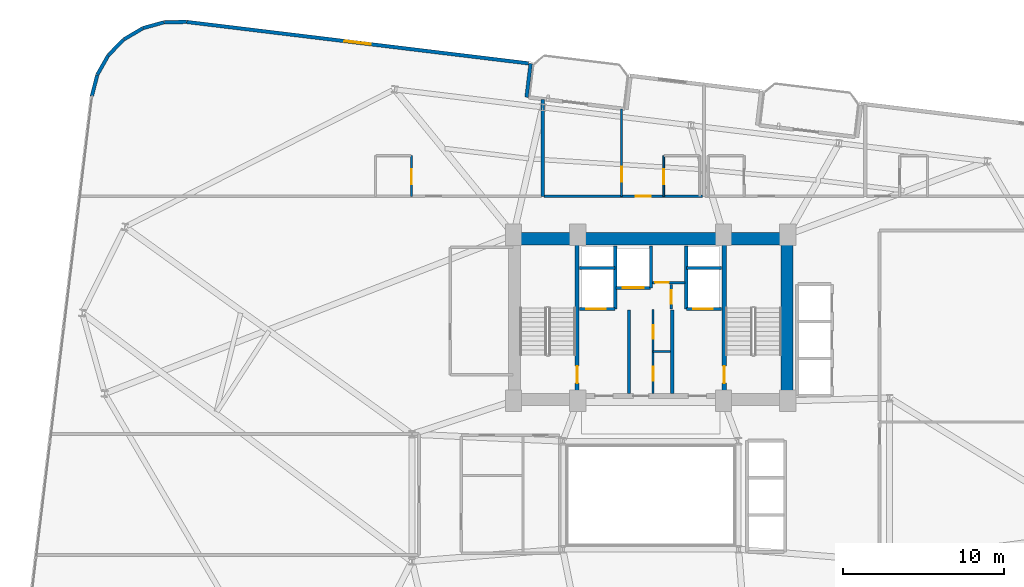
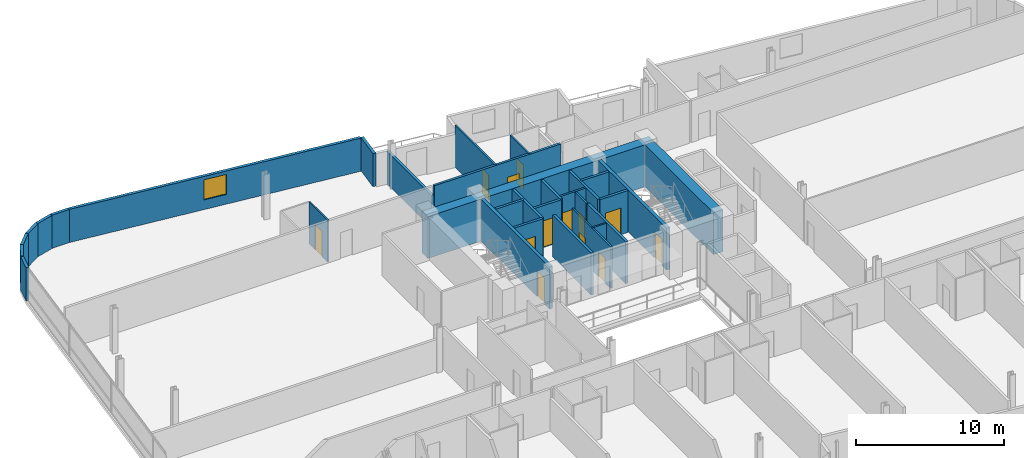
# One storey, part 22 of 26: 31 walls, 13 doors, 1 window, 14 openings.
"""IFC4 building model written with IfcOpenShell, lengths in metres."""

from ifc_helpers import new_model, si_unit, direction, frame, frame_2d, origin, place, context, subcontext, project, spatial, rectangle, extrude, material, layer, layer_set, type_object, element, fill, save


model = new_model("IFC4")

# Units and contexts
model_context = context("Model", 3, precision=1e-05, world=origin(), true_north=direction((0.0, 1.0)))
body_context = subcontext(model_context, "Body", "Model", "MODEL_VIEW")
ifc_project = project(units=[si_unit("LENGTHUNIT", "METRE"), si_unit("AREAUNIT", "SQUARE_METRE"), si_unit("VOLUMEUNIT", "CUBIC_METRE"), si_unit("PLANEANGLEUNIT", "RADIAN"), si_unit("MASSUNIT", "GRAM", prefix="KILO")], contexts=[model_context])

# Site, building, storey
site_placement = place(None, origin())
site = spatial("IfcSite", under=ifc_project, at=site_placement, CompositionType="ELEMENT")
building_placement = place(site_placement, origin())
building = spatial("IfcBuilding", under=site, at=building_placement, Name="Varnelok Gate Tower", CompositionType="ELEMENT")
storey_placement = place(building_placement, frame((0.0, 0.0, 121.699951171875)))
storey = spatial("IfcBuildingStorey", under=building, at=storey_placement, Name="L30", CompositionType="ELEMENT", Elevation=121.699951171875)

# Wall
ifc_material_1 = material(Name="Concrete C45/55", Category="concrete")
ifc_layer_1 = layer(ifc_material_1, 0.219970703125)
ifc_layer_set_1 = layer_set([ifc_layer_1], Name="Concrete C45/55")
wall_type_1 = type_object("IfcWallType", Name="EW-BALC-220", PredefinedType="SOLIDWALL", material=ifc_layer_set_1)
wall_1_placement = place(storey_placement, frame((31.50390625, 47.568115234375, 0.0), z_axis=(0.0, 0.0, 1.0), x_axis=(0.120341784665, 0.992732519294, 0.0)))
element("IfcWall", 1, at=wall_1_placement, inside=storey, type_object=wall_type_1, Name="L30 Perimeter Facade Closure Wall 31", PredefinedType="SOLIDWALL", context=body_context, shape_type="SweptSolid", body=[
    extrude(rectangle(XDim=2.099853515625, YDim=0.219970703125, at=frame_2d((1.0498046875, 0.0))), origin(), (0.0, 0.0, 1.0), 2.72998046875),
])

# Wall, opening, window
wall_2_placement = place(storey_placement, frame((31.632568359375, 49.667724609375, 0.0), z_axis=(0.0, 0.0, 1.0), x_axis=(-0.992731670483, 0.120348786531, 0.0)))
wall_2 = element("IfcWall", 2, at=wall_2_placement, inside=storey, type_object=wall_type_1, Name="L30 Perimeter Facade Closure Wall 32", PredefinedType="SOLIDWALL", context=body_context, shape_type="SweptSolid", body=[
    extrude(rectangle(XDim=21.34716796875, YDim=0.219970703125, at=frame_2d((10.673583984375, 0.0))), origin(), (0.0, 0.0, 1.0), 2.72998046875),
])
opening_1_placement = place(wall_2_placement, frame((9.8486328125, 0.0, 0.800048828125)))
opening_1 = element("IfcOpeningElement", 3, at=opening_1_placement, cuts=wall_2, Name="Opening WN3", PredefinedType="OPENING", context=body_context, shape_type="SweptSolid", body=[
    extrude(rectangle(XDim=1.64990234375, YDim=1.64990234375, at=frame_2d((0.824951171875, 0.824951171875))), frame((0.0, 0.119873046875, 0.0), z_axis=(0.0, -1.0, 0.0), x_axis=(1.0, 0.0, 0.0)), (0.0, 0.0, 1.0), 0.239990234375),
])
ifc_material_2 = material(Name="Low-E Laminated Double Glazing IGU", Category="glass")
window_type = type_object("IfcWindowType", Name="WN-HTL-1650", PartitioningType="SINGLE_PANEL", PredefinedType="WINDOW", material=ifc_material_2)
window_placement = place(opening_1_placement, origin())
window = element("IfcWindow", 4, at=window_placement, inside=storey, type_object=window_type, Name="L30 Perimeter Vision Window 32", OverallHeight=1.64990234375, OverallWidth=1.64990234375, PartitioningType="SINGLE_PANEL", PredefinedType="WINDOW", context=body_context, shape_type="SweptSolid", body=[
    extrude(rectangle(XDim=1.64990234375, YDim=1.64990234375, at=frame_2d((0.824951171875, 0.824951171875))), frame((0.0, 0.030029296875, 0.0), z_axis=(0.0, -1.0, 0.0), x_axis=(1.0, 0.0, 0.0)), (0.0, 0.0, 1.0), 0.06005859375),
])
fill(opening_1, window)

# Walls
wall_3_placement = place(storey_placement, frame((10.41552734375, 52.236572265625, 0.0), z_axis=(0.0, 0.0, 1.0), x_axis=(-0.999947718056, -0.010225514878, 0.0)))
element("IfcWall", 5, at=wall_3_placement, inside=storey, type_object=wall_type_1, Name="L30 Perimeter Facade Closure Wall 33", PredefinedType="SOLIDWALL", context=body_context, shape_type="SweptSolid", body=[
    extrude(rectangle(XDim=1.36083984375, YDim=0.219970703125, at=frame_2d((0.680419921875, 0.0))), origin(), (0.0, 0.0, 1.0), 2.72998046875),
])
for number, where, z_axis, x_axis, name in (
    (6, (9.030517578125, 52.2158203125, 0.0), (0.0, 0.0, 1.0), (-0.963227802828, -0.268686061898, 0.0), "L30 Perimeter Facade Closure Wall 34"),
    (7, (7.70556640625, 51.839599609375, 0.0), (0.0, 0.0, 1.0), (-0.860739665837, -0.509045408244, 0.0), "L30 Perimeter Facade Closure Wall 35"),
):
    element("IfcWall", number, at=place(storey_placement, frame(where, z_axis=z_axis, x_axis=x_axis)), inside=storey, type_object=wall_type_1, Name=name, PredefinedType="SOLIDWALL", context=body_context, shape_type="SweptSolid", body=[
        extrude(rectangle(XDim=1.35302734375, YDim=0.219970703125, at=frame_2d((0.676513671875, 0.0))), origin(), (0.0, 0.0, 1.0), 2.72998046875),
    ])
wall_4_placement = place(storey_placement, frame((6.5234375, 51.13330078125, 0.0), z_axis=(0.0, 0.0, 1.0), x_axis=(-0.699762925925, -0.714375144795, 0.0)))
element("IfcWall", 8, at=wall_4_placement, inside=storey, type_object=wall_type_1, Name="L30 Perimeter Facade Closure Wall 36", PredefinedType="SOLIDWALL", context=body_context, shape_type="SweptSolid", body=[
    extrude(rectangle(XDim=1.353271484375, YDim=0.219970703125, at=frame_2d((0.6767578125, 0.0))), origin(), (0.0, 0.0, 1.0), 2.72998046875),
])
wall_5_placement = place(storey_placement, frame((5.564208984375, 50.144775390625, 0.0), z_axis=(0.0, 0.0, 1.0), x_axis=(-0.491117621399, -0.871093268227, 0.0)))
element("IfcWall", 9, at=wall_5_placement, inside=storey, type_object=wall_type_1, Name="L30 Perimeter Facade Closure Wall 37", PredefinedType="SOLIDWALL", context=body_context, shape_type="SweptSolid", body=[
    extrude(rectangle(XDim=1.35302734375, YDim=0.219970703125, at=frame_2d((0.676513671875, 0.0))), origin(), (0.0, 0.0, 1.0), 2.72998046875),
])
wall_6_placement = place(storey_placement, frame((4.8935546875, 48.94189453125, 0.0), z_axis=(0.0, 0.0, 1.0), x_axis=(-0.248857256909, -0.968540172468, 0.0)))
element("IfcWall", 10, at=wall_6_placement, inside=storey, type_object=wall_type_1, Name="L30 Perimeter Facade Closure Wall 38", PredefinedType="SOLIDWALL", context=body_context, shape_type="SweptSolid", body=[
    extrude(rectangle(XDim=1.352783203125, YDim=0.219970703125, at=frame_2d((0.67626953125, 0.0))), origin(), (0.0, 0.0, 1.0), 2.72998046875),
])

# Wall, opening, door
ifc_material_3 = material(Name="Gypsum Plasterboard Acoustic Partition", Category="gypsum")
ifc_layer_2 = layer(ifc_material_3, 0.179931640625)
ifc_layer_set_2 = layer_set([ifc_layer_2], Name="Gypsum Plasterboard Acoustic Partition")
wall_type_2 = type_object("IfcWallType", Name="PW-CORR-180", PredefinedType="PARTITIONING", material=ifc_layer_set_2)
wall_7_placement = place(storey_placement, frame((32.580078125, 41.429931640625, 0.0), z_axis=(0.0, 0.0, 1.0), x_axis=(1.0, 0.0, 0.0)))
wall_7 = element("IfcWall", 11, at=wall_7_placement, inside=storey, type_object=wall_type_2, Name="Interior Partition", PredefinedType="PARTITIONING", context=body_context, shape_type="SweptSolid", body=[
    extrude(rectangle(XDim=9.83984375, YDim=0.179931640625, at=frame_2d((4.919921875, 0.0))), origin(), (0.0, 0.0, 1.0), 3.449951171875),
])
opening_2_placement = place(wall_7_placement, frame((5.679931640625, 0.0, 0.0)))
opening_2 = element("IfcOpeningElement", 12, at=opening_2_placement, cuts=wall_7, Name="Opening D-HT", PredefinedType="OPENING", context=body_context, shape_type="SweptSolid", body=[
    extrude(rectangle(XDim=0.949951171875, YDim=2.14990234375, at=frame_2d((0.47509765625, 1.074951171875))), frame((0.0, 0.099853515625, 0.0), z_axis=(0.0, -1.0, 0.0), x_axis=(1.0, 0.0, 0.0)), (0.0, 0.0, 1.0), 0.199951171875),
])
ifc_material_4 = material(Name="Engineered Hardwood Timber", Category="wood")
door_type_1 = type_object("IfcDoorType", Name="DR-HTL-950", OperationType="NOTDEFINED", PredefinedType="DOOR", material=ifc_material_4)
door_1_placement = place(opening_2_placement, origin())
door_1 = element("IfcDoor", 13, at=door_1_placement, inside=storey, type_object=door_type_1, Name="L30 Guest Room 11 Entrance Door", OperationType="SINGLE_SWING_RIGHT", OverallHeight=2.14990234375, OverallWidth=0.949951171875, PredefinedType="DOOR", context=body_context, shape_type="SweptSolid", body=[
    extrude(rectangle(XDim=0.949951171875, YDim=2.14990234375, at=frame_2d((0.47509765625, 1.074951171875))), frame((0.0, 0.02490234375, 0.0), z_axis=(0.0, -1.0, 0.0), x_axis=(1.0, 0.0, 0.0)), (0.0, 0.0, 1.0), 0.050048828125),
])
fill(opening_2, door_1)

ifc_layer_3 = layer(ifc_material_3, 0.114990234375)
ifc_layer_set_3 = layer_set([ifc_layer_3], Name="Gypsum Plasterboard Acoustic Partition")
wall_type_3 = type_object("IfcWallType", Name="PW-ENS-125", PredefinedType="PARTITIONING", material=ifc_layer_set_3)
wall_8_placement = place(storey_placement, frame((24.3701171875, 41.429931640625, 0.0), z_axis=(0.0, 0.0, 1.0), x_axis=(0.0, 1.0, 0.0)))
wall_8 = element("IfcWall", 14, at=wall_8_placement, inside=storey, type_object=wall_type_3, Name="Interior Partition", PredefinedType="PARTITIONING", context=body_context, shape_type="SweptSolid", body=[
    extrude(rectangle(XDim=2.52001953125, YDim=0.114990234375, at=frame_2d((1.260009765625, 0.0))), origin(), (0.0, 0.0, 1.0), 3.449951171875),
])
opening_3_placement = place(wall_8_placement, frame((0.760009765625, 0.0, 0.0)))
opening_3 = element("IfcOpeningElement", 15, at=opening_3_placement, cuts=wall_8, Name="Opening D-WC", PredefinedType="OPENING", context=body_context, shape_type="SweptSolid", body=[
    extrude(rectangle(XDim=0.89990234375, YDim=2.050048828125, at=frame_2d((0.449951171875, 1.02490234375))), frame((0.0, 0.0673828125, 0.0), z_axis=(0.0, -1.0, 0.0), x_axis=(1.0, 0.0, 0.0)), (0.0, 0.0, 1.0), 0.135009765625),
])
door_type_2 = type_object("IfcDoorType", Name="DR-BATH-900", OperationType="NOTDEFINED", PredefinedType="DOOR", material=ifc_material_4)
door_2_placement = place(opening_3_placement, origin())
door_2 = element("IfcDoor", 16, at=door_2_placement, inside=storey, type_object=door_type_2, Name="L30 North En-Suite 10 Door", OperationType="SINGLE_SWING_RIGHT", OverallHeight=2.050048828125, OverallWidth=0.89990234375, PredefinedType="DOOR", context=body_context, shape_type="SweptSolid", body=[
    extrude(rectangle(XDim=0.89990234375, YDim=2.050048828125, at=frame_2d((0.449951171875, 1.02490234375))), frame((0.0, 0.02490234375, 0.0), z_axis=(0.0, -1.0, 0.0), x_axis=(1.0, 0.0, 0.0)), (0.0, 0.0, 1.0), 0.050048828125),
])
fill(opening_3, door_2)

wall_9_placement = place(storey_placement, frame((40.010009765625, 41.429931640625, 0.0), z_axis=(0.0, 0.0, 1.0), x_axis=(0.0, 1.0, 0.0)))
wall_9 = element("IfcWall", 17, at=wall_9_placement, inside=storey, type_object=wall_type_3, Name="Interior Partition", PredefinedType="PARTITIONING", context=body_context, shape_type="SweptSolid", body=[
    extrude(rectangle(XDim=2.52001953125, YDim=0.114990234375, at=frame_2d((1.260009765625, 0.0))), origin(), (0.0, 0.0, 1.0), 3.449951171875),
])
opening_4_placement = place(wall_9_placement, frame((0.760009765625, 0.0, 0.0)))
opening_4 = element("IfcOpeningElement", 18, at=opening_4_placement, cuts=wall_9, Name="Opening D-WC", PredefinedType="OPENING", context=body_context, shape_type="SweptSolid", body=[
    extrude(rectangle(XDim=0.89990234375, YDim=2.050048828125, at=frame_2d((0.449951171875, 1.02490234375))), frame((0.0, 0.0673828125, 0.0), z_axis=(0.0, -1.0, 0.0), x_axis=(1.0, 0.0, 0.0)), (0.0, 0.0, 1.0), 0.135009765625),
])
door_3_placement = place(opening_4_placement, origin())
door_3 = element("IfcDoor", 19, at=door_3_placement, inside=storey, type_object=door_type_2, Name="L30 North En-Suite 11 Door", OperationType="SINGLE_SWING_LEFT", OverallHeight=2.050048828125, OverallWidth=0.89990234375, PredefinedType="DOOR", context=body_context, shape_type="SweptSolid", body=[
    extrude(rectangle(XDim=0.89990234375, YDim=2.050048828125, at=frame_2d((0.449951171875, 1.02490234375))), frame((0.0, 0.02490234375, 0.0), z_axis=(0.0, -1.0, 0.0), x_axis=(1.0, 0.0, 0.0)), (0.0, 0.0, 1.0), 0.050048828125),
])
fill(opening_4, door_3)

ifc_layer_4 = layer(ifc_material_3, 0.125)
ifc_layer_set_4 = layer_set([ifc_layer_4], Name="Gypsum Plasterboard Acoustic Partition")
wall_type_4 = type_object("IfcWallType", Name="PW-PART-125", PredefinedType="PARTITIONING", material=ifc_layer_set_4)
wall_10_placement = place(storey_placement, frame((37.39990234375, 41.429931640625, 0.0), z_axis=(0.0, 0.0, 1.0), x_axis=(0.0, 1.0, 0.0)))
wall_10 = element("IfcWall", 20, at=wall_10_placement, inside=storey, type_object=wall_type_4, Name="Interior Partition", PredefinedType="PARTITIONING", context=body_context, shape_type="SweptSolid", body=[
    extrude(rectangle(XDim=5.403076171875, YDim=0.125, at=frame_2d((2.70166015625, 0.0))), origin(), (0.0, 0.0, 1.0), 3.449951171875),
])
opening_5_placement = place(wall_10_placement, frame((0.897216796875, 0.0, 0.0)))
opening_5 = element("IfcOpeningElement", 21, at=opening_5_placement, cuts=wall_10, Name="Opening D-I3", PredefinedType="OPENING", context=body_context, shape_type="SweptSolid", body=[
    extrude(rectangle(XDim=0.919921875, YDim=2.050048828125, at=frame_2d((0.4599609375, 1.02490234375))), frame((0.0, 0.072509765625, 0.0), z_axis=(0.0, -1.0, 0.0), x_axis=(1.0, 0.0, 0.0)), (0.0, 0.0, 1.0), 0.14501953125),
])
door_type_3 = type_object("IfcDoorType", Name="DR-INT-920", OperationType="NOTDEFINED", PredefinedType="DOOR", material=ifc_material_4)
door_4_placement = place(opening_5_placement, origin())
door_4 = element("IfcDoor", 22, at=door_4_placement, inside=storey, type_object=door_type_3, Name="L30 Suite Bedroom Door 11", OperationType="SINGLE_SWING_LEFT", OverallHeight=2.050048828125, OverallWidth=0.919921875, PredefinedType="DOOR", context=body_context, shape_type="SweptSolid", body=[
    extrude(rectangle(XDim=0.919921875, YDim=2.050048828125, at=frame_2d((0.4599609375, 1.02490234375))), frame((0.0, 0.02490234375, 0.0), z_axis=(0.0, -1.0, 0.0), x_axis=(1.0, 0.0, 0.0)), (0.0, 0.0, 1.0), 0.050048828125),
])
fill(opening_5, door_4)

# Wall
wall_11_placement = place(storey_placement, frame((39.35009765625, 31.800048828125, 0.0), z_axis=(0.0, 0.0, 1.0), x_axis=(1.0, 0.0, 0.0)))
element("IfcWall", 23, at=wall_11_placement, inside=storey, type_object=wall_type_4, Name="Interior Partition", PredefinedType="PARTITIONING", context=body_context, shape_type="SweptSolid", body=[
    extrude(rectangle(XDim=1.08984375, YDim=0.125, at=frame_2d((0.544921875, 0.0))), origin(), (0.0, 0.0, 1.0), 3.449951171875),
])

# Wall, openings, doors
wall_12_placement = place(storey_placement, frame((39.35009765625, 29.199951171875, 0.0), z_axis=(0.0, 0.0, 1.0), x_axis=(0.0, 1.0, 0.0)))
wall_12 = element("IfcWall", 24, at=wall_12_placement, inside=storey, type_object=wall_type_4, Name="Interior Partition", PredefinedType="PARTITIONING", context=body_context, shape_type="SweptSolid", body=[
    extrude(rectangle(XDim=5.219970703125, YDim=0.125, at=frame_2d((2.60986328125, 0.0))), origin(), (0.0, 0.0, 1.0), 3.449951171875),
])
opening_6_placement = place(wall_12_placement, frame((0.800048828125, 0.0, 0.0)))
opening_6 = element("IfcOpeningElement", 25, at=opening_6_placement, cuts=wall_12, Name="Opening D-RS", PredefinedType="OPENING", context=body_context, shape_type="SweptSolid", body=[
    extrude(rectangle(XDim=0.85009765625, YDim=2.050048828125, at=frame_2d((0.425048828125, 1.02490234375))), frame((0.0, 0.072509765625, 0.0), z_axis=(0.0, -1.0, 0.0), x_axis=(1.0, 0.0, 0.0)), (0.0, 0.0, 1.0), 0.14501953125),
])
opening_7_placement = place(wall_12_placement, frame((3.39990234375, 0.0, 0.0)))
opening_7 = element("IfcOpeningElement", 26, at=opening_7_placement, cuts=wall_12, Name="Opening D-RS", PredefinedType="OPENING", context=body_context, shape_type="SweptSolid", body=[
    extrude(rectangle(XDim=0.85009765625, YDim=2.050048828125, at=frame_2d((0.425048828125, 1.02490234375))), frame((0.0, 0.072509765625, 0.0), z_axis=(0.0, -1.0, 0.0), x_axis=(1.0, 0.0, 0.0)), (0.0, 0.0, 1.0), 0.14501953125),
])
ifc_material_5 = material(Name="Galvanized Steel Grade S350GD", Category="steel")
door_type_4 = type_object("IfcDoorType", Name="DR-RISER-850", OperationType="NOTDEFINED", PredefinedType="DOOR", material=ifc_material_5)
door_5_placement = place(opening_6_placement, origin())
door_5 = element("IfcDoor", 27, at=door_5_placement, inside=storey, type_object=door_type_4, Name="L30 Housekeeping Linen Door", OperationType="SINGLE_SWING_RIGHT", OverallHeight=2.050048828125, OverallWidth=0.85009765625, PredefinedType="DOOR", context=body_context, shape_type="SweptSolid", body=[
    extrude(rectangle(XDim=0.85009765625, YDim=2.050048828125, at=frame_2d((0.425048828125, 1.02490234375))), frame((0.0, 0.02490234375, 0.0), z_axis=(0.0, -1.0, 0.0), x_axis=(1.0, 0.0, 0.0)), (0.0, 0.0, 1.0), 0.050048828125),
])
fill(opening_6, door_5)
door_6_placement = place(opening_7_placement, origin())
door_6 = element("IfcDoor", 28, at=door_6_placement, inside=storey, type_object=door_type_4, Name="L30 Core Supply Door", OperationType="SINGLE_SWING_LEFT", OverallHeight=2.050048828125, OverallWidth=0.85009765625, PredefinedType="DOOR", context=body_context, shape_type="SweptSolid", body=[
    extrude(rectangle(XDim=0.85009765625, YDim=2.050048828125, at=frame_2d((0.425048828125, 1.02490234375))), frame((0.0, 0.02490234375, 0.0), z_axis=(0.0, -1.0, 0.0), x_axis=(1.0, 0.0, 0.0)), (0.0, 0.0, 1.0), 0.050048828125),
])
fill(opening_7, door_6)

# Wall, opening, door
ifc_layer_5 = layer(ifc_material_3, 0.14990234375)
ifc_layer_set_5 = layer_set([ifc_layer_5], Name="Gypsum Plasterboard Acoustic Partition")
wall_type_5 = type_object("IfcWallType", Name="PW-PART-150", PredefinedType="PARTITIONING", material=ifc_layer_set_5)
wall_13_placement = place(storey_placement, frame((39.300048828125, 36.080078125, 0.0), z_axis=(0.0, 0.0, 1.0), x_axis=(1.0, 0.0, 0.0)))
wall_13 = element("IfcWall", 29, at=wall_13_placement, inside=storey, type_object=wall_type_5, Name="L30 Electrical Closet South Wall", PredefinedType="PARTITIONING", context=body_context, shape_type="SweptSolid", body=[
    extrude(rectangle(XDim=2.02001953125, YDim=0.14990234375, at=frame_2d((1.010009765625, 0.0))), origin(), (0.0, 0.0, 1.0), 3.449951171875),
])
opening_8_placement = place(wall_13_placement, frame((0.179931640625, 0.0, 0.0)))
opening_8 = element("IfcOpeningElement", 30, at=opening_8_placement, cuts=wall_13, Name="Opening D-RS", PredefinedType="OPENING", context=body_context, shape_type="SweptSolid", body=[
    extrude(rectangle(XDim=0.85009765625, YDim=2.050048828125, at=frame_2d((0.425048828125, 1.02490234375))), frame((0.0, 0.0849609375, 0.0), z_axis=(0.0, -1.0, 0.0), x_axis=(1.0, 0.0, 0.0)), (0.0, 0.0, 1.0), 0.169921875),
])
door_7_placement = place(opening_8_placement, origin())
door_7 = element("IfcDoor", 31, at=door_7_placement, inside=storey, type_object=door_type_4, Name="L30 Electrical Closet Door", OperationType="SINGLE_SWING_RIGHT", OverallHeight=2.050048828125, OverallWidth=0.85009765625, PredefinedType="DOOR", context=body_context, shape_type="SweptSolid", body=[
    extrude(rectangle(XDim=0.85009765625, YDim=2.050048828125, at=frame_2d((0.425048828125, 1.02490234375))), frame((0.0, 0.02490234375, 0.0), z_axis=(0.0, -1.0, 0.0), x_axis=(1.0, 0.0, 0.0)), (0.0, 0.0, 1.0), 0.050048828125),
])
fill(opening_8, door_7)

wall_14_placement = place(storey_placement, frame((40.47998046875, 34.43994140625, 0.0), z_axis=(0.0, 0.0, 1.0), x_axis=(0.0, 1.0, 0.0)))
wall_14 = element("IfcWall", 32, at=wall_14_placement, inside=storey, type_object=wall_type_5, Name="L30 Telecoms Closet West Wall", PredefinedType="PARTITIONING", context=body_context, shape_type="SweptSolid", body=[
    extrude(rectangle(XDim=1.52001953125, YDim=0.14990234375, at=frame_2d((0.760009765625, 0.0))), origin(), (0.0, 0.0, 1.0), 3.449951171875),
])
opening_9_placement = place(wall_14_placement, frame((0.320068359375, 0.0, 0.0)))
opening_9 = element("IfcOpeningElement", 33, at=opening_9_placement, cuts=wall_14, Name="Opening D-RS", PredefinedType="OPENING", context=body_context, shape_type="SweptSolid", body=[
    extrude(rectangle(XDim=0.85009765625, YDim=2.050048828125, at=frame_2d((0.425048828125, 1.02490234375))), frame((0.0, 0.0849609375, 0.0), z_axis=(0.0, -1.0, 0.0), x_axis=(1.0, 0.0, 0.0)), (0.0, 0.0, 1.0), 0.169921875),
])
door_8_placement = place(opening_9_placement, origin())
door_8 = element("IfcDoor", 34, at=door_8_placement, inside=storey, type_object=door_type_4, Name="L30 Telecoms Closet Door", OperationType="SINGLE_SWING_LEFT", OverallHeight=2.050048828125, OverallWidth=0.85009765625, PredefinedType="DOOR", context=body_context, shape_type="SweptSolid", body=[
    extrude(rectangle(XDim=0.85009765625, YDim=2.050048828125, at=frame_2d((0.425048828125, 1.02490234375))), frame((0.0, 0.02490234375, 0.0), z_axis=(0.0, -1.0, 0.0), x_axis=(1.0, 0.0, 0.0)), (0.0, 0.0, 1.0), 0.050048828125),
])
fill(opening_9, door_8)

# Walls
ifc_layer_6 = layer(ifc_material_3, 0.205078125)
ifc_layer_set_6 = layer_set([ifc_layer_6], Name="Gypsum Plasterboard Acoustic Partition")
wall_type_6 = type_object("IfcWallType", Name="PW-PARTY-200", PredefinedType="PARTITIONING", material=ifc_layer_set_6)
wall_15_placement = place(storey_placement, frame((32.5, 41.429931640625, 0.0), z_axis=(0.0, 0.0, 1.0), x_axis=(0.0, 1.0, 0.0)))
element("IfcWall", 35, at=wall_15_placement, inside=storey, type_object=wall_type_6, Name="L30 North Party Wall 1", PredefinedType="PARTITIONING", context=body_context, shape_type="SweptSolid", body=[
    extrude(rectangle(XDim=5.9970703125, YDim=0.205078125, at=frame_2d((2.99853515625, 0.0))), origin(), (0.0, 0.0, 1.0), 2.662109375),
])
ifc_material_6 = material(Name="Concrete C35/45", Category="concrete")
ifc_layer_7 = layer(ifc_material_6, 0.199951171875)
ifc_layer_set_7 = layer_set([ifc_layer_7], Name="Concrete C35/45")
wall_type_7 = type_object("IfcWallType", Name="PW-SHAFT-200", PredefinedType="PARTITIONING", material=ifc_layer_set_7)
for number, where, z_axis, x_axis, name in (
    (36, (37.860107421875, 29.199951171875, 0.0), (0.0, 0.0, 1.0), (0.0, 1.0, 0.0), "L30 West FF Lobby Rated Wall"),
    (37, (40.5400390625, 29.199951171875, 0.0), (0.0, 0.0, 1.0), (0.0, 1.0, 0.0), "L30 East FF Lobby Rated Wall"),
):
    element("IfcWall", number, at=place(storey_placement, frame(where, z_axis=z_axis, x_axis=x_axis)), inside=storey, type_object=wall_type_7, Name=name, PredefinedType="PARTITIONING", context=body_context, shape_type="SweptSolid", body=[
        extrude(rectangle(XDim=5.179931640625, YDim=0.199951171875, at=frame_2d((2.58984375, 0.0))), origin(), (0.0, 0.0, 1.0), 3.449951171875),
    ])

# Wall, opening, door
wall_16_placement = place(storey_placement, frame((34.800048828125, 34.43994140625, 0.0), z_axis=(0.0, 0.0, 1.0), x_axis=(1.0, 0.0, 0.0)))
wall_16 = element("IfcWall", 38, at=wall_16_placement, inside=storey, type_object=wall_type_7, Name="L30 FF1 Shaft Front Wall", PredefinedType="PARTITIONING", context=body_context, shape_type="SweptSolid", body=[
    extrude(rectangle(XDim=2.179931640625, YDim=0.199951171875, at=frame_2d((1.08984375, 0.0))), origin(), (0.0, 0.0, 1.0), 3.449951171875),
])
opening_10_placement = place(wall_16_placement, frame((0.419921875, 0.0, 0.0)))
opening_10 = element("IfcOpeningElement", 39, at=opening_10_placement, cuts=wall_16, Name="Opening LD-FF1", PredefinedType="OPENING", context=body_context, shape_type="SweptSolid", body=[
    extrude(rectangle(XDim=1.199951171875, YDim=2.199951171875, at=frame_2d((0.60009765625, 1.10009765625))), frame((0.0, 0.10986328125, 0.0), z_axis=(0.0, -1.0, 0.0), x_axis=(1.0, 0.0, 0.0)), (0.0, 0.0, 1.0), 0.219970703125),
])
door_type_5 = type_object("IfcDoorType", Name="DR-LIFT-FF1200", OperationType="SLIDING_TO_LEFT", PredefinedType="DOOR", material=ifc_material_5)
door_9_placement = place(opening_10_placement, origin())
door_9 = element("IfcDoor", 40, at=door_9_placement, inside=storey, type_object=door_type_5, Name="L30 Firefighting Lift Landing Door LD-FF1", OperationType="SLIDING_TO_LEFT", OverallHeight=2.199951171875, OverallWidth=1.199951171875, PredefinedType="DOOR", context=body_context, shape_type="SweptSolid", body=[
    extrude(rectangle(XDim=1.199951171875, YDim=2.199951171875, at=frame_2d((0.60009765625, 1.10009765625))), frame((0.0, 0.02490234375, 0.0), z_axis=(0.0, -1.0, 0.0), x_axis=(1.0, 0.0, 0.0)), (0.0, 0.0, 1.0), 0.050048828125),
])
fill(opening_10, door_9)

# Walls
wall_17_placement = place(storey_placement, frame((34.800048828125, 36.97998046875, 0.0), z_axis=(0.0, 0.0, 1.0), x_axis=(1.0, 0.0, 0.0)))
element("IfcWall", 41, at=wall_17_placement, inside=storey, type_object=wall_type_7, Name="L30 FF1 Shaft North Wall", PredefinedType="PARTITIONING", context=body_context, shape_type="SweptSolid", body=[
    extrude(rectangle(XDim=2.179931640625, YDim=0.199951171875, at=frame_2d((1.08984375, 0.0))), origin(), (0.0, 0.0, 1.0), 3.449951171875),
])
wall_18_placement = place(storey_placement, frame((37.0, 34.43994140625, 0.0), z_axis=(0.0, 0.0, 1.0), x_axis=(0.0, 1.0, 0.0)))
element("IfcWall", 42, at=wall_18_placement, inside=storey, type_object=wall_type_7, Name="L30 FF1 Shaft Side Wall", PredefinedType="PARTITIONING", context=body_context, shape_type="SweptSolid", body=[
    extrude(rectangle(XDim=3.900146484375, YDim=0.199951171875, at=frame_2d((1.9501953125, 0.0))), origin(), (0.0, 0.0, 1.0), 3.449951171875),
])

# Wall, opening, door
wall_19_placement = place(storey_placement, frame((41.419921875, 34.43994140625, 0.0), z_axis=(0.0, 0.0, 1.0), x_axis=(1.0, 0.0, 0.0)))
wall_19 = element("IfcWall", 43, at=wall_19_placement, inside=storey, type_object=wall_type_7, Name="L30 FF2 Shaft Front Wall", PredefinedType="PARTITIONING", context=body_context, shape_type="SweptSolid", body=[
    extrude(rectangle(XDim=2.18017578125, YDim=0.199951171875, at=frame_2d((1.090087890625, 0.0))), origin(), (0.0, 0.0, 1.0), 3.449951171875),
])
opening_11_placement = place(wall_19_placement, frame((0.419921875, 0.0, 0.0)))
opening_11 = element("IfcOpeningElement", 44, at=opening_11_placement, cuts=wall_19, Name="Opening LD-FF2", PredefinedType="OPENING", context=body_context, shape_type="SweptSolid", body=[
    extrude(rectangle(XDim=1.199951171875, YDim=2.199951171875, at=frame_2d((0.60009765625, 1.10009765625))), frame((0.0, 0.10986328125, 0.0), z_axis=(0.0, -1.0, 0.0), x_axis=(1.0, 0.0, 0.0)), (0.0, 0.0, 1.0), 0.219970703125),
])
door_10_placement = place(opening_11_placement, origin())
door_10 = element("IfcDoor", 45, at=door_10_placement, inside=storey, type_object=door_type_5, Name="L30 Firefighting Lift Landing Door LD-FF2", OperationType="SLIDING_TO_LEFT", OverallHeight=2.199951171875, OverallWidth=1.199951171875, PredefinedType="DOOR", context=body_context, shape_type="SweptSolid", body=[
    extrude(rectangle(XDim=1.199951171875, YDim=2.199951171875, at=frame_2d((0.60009765625, 1.10009765625))), frame((0.0, 0.02490234375, 0.0), z_axis=(0.0, -1.0, 0.0), x_axis=(1.0, 0.0, 0.0)), (0.0, 0.0, 1.0), 0.050048828125),
])
fill(opening_11, door_10)

# Walls
wall_20_placement = place(storey_placement, frame((41.419921875, 36.97998046875, 0.0), z_axis=(0.0, 0.0, 1.0), x_axis=(1.0, 0.0, 0.0)))
element("IfcWall", 46, at=wall_20_placement, inside=storey, type_object=wall_type_7, Name="L30 FF2 Shaft North Wall", PredefinedType="PARTITIONING", context=body_context, shape_type="SweptSolid", body=[
    extrude(rectangle(XDim=2.18017578125, YDim=0.199951171875, at=frame_2d((1.090087890625, 0.0))), origin(), (0.0, 0.0, 1.0), 3.449951171875),
])
wall_21_placement = place(storey_placement, frame((41.39990234375, 34.43994140625, 0.0), z_axis=(0.0, 0.0, 1.0), x_axis=(0.0, 1.0, 0.0)))
element("IfcWall", 47, at=wall_21_placement, inside=storey, type_object=wall_type_7, Name="L30 FF2 Shaft Side Wall", PredefinedType="PARTITIONING", context=body_context, shape_type="SweptSolid", body=[
    extrude(rectangle(XDim=3.900146484375, YDim=0.199951171875, at=frame_2d((1.9501953125, 0.0))), origin(), (0.0, 0.0, 1.0), 3.449951171875),
])

# Wall, opening, door
wall_22_placement = place(storey_placement, frame((37.06005859375, 35.75, 0.0), z_axis=(0.0, 0.0, 1.0), x_axis=(1.0, 0.0, 0.0)))
wall_22 = element("IfcWall", 48, at=wall_22_placement, inside=storey, type_object=wall_type_7, Name="L30 SV1 Shaft Front Wall", PredefinedType="PARTITIONING", context=body_context, shape_type="SweptSolid", body=[
    extrude(rectangle(XDim=2.119873046875, YDim=0.199951171875, at=frame_2d((1.06005859375, 0.0))), origin(), (0.0, 0.0, 1.0), 3.449951171875),
])
opening_12_placement = place(wall_22_placement, frame((0.39990234375, 0.0, 0.0)))
opening_12 = element("IfcOpeningElement", 49, at=opening_12_placement, cuts=wall_22, Name="Opening LD-SV1", PredefinedType="OPENING", context=body_context, shape_type="SweptSolid", body=[
    extrude(rectangle(XDim=1.300048828125, YDim=2.199951171875, at=frame_2d((0.64990234375, 1.10009765625))), frame((0.0, 0.10986328125, 0.0), z_axis=(0.0, -1.0, 0.0), x_axis=(1.0, 0.0, 0.0)), (0.0, 0.0, 1.0), 0.219970703125),
])
door_type_6 = type_object("IfcDoorType", Name="DR-LIFT-SV1300", OperationType="SLIDING_TO_LEFT", PredefinedType="DOOR", material=ifc_material_5)
door_11_placement = place(opening_12_placement, origin())
door_11 = element("IfcDoor", 50, at=door_11_placement, inside=storey, type_object=door_type_6, Name="L30 Service Lift Landing Door LD-SV1", OperationType="SLIDING_TO_LEFT", OverallHeight=2.199951171875, OverallWidth=1.300048828125, PredefinedType="DOOR", context=body_context, shape_type="SweptSolid", body=[
    extrude(rectangle(XDim=1.300048828125, YDim=2.199951171875, at=frame_2d((0.64990234375, 1.10009765625))), frame((0.0, 0.02490234375, 0.0), z_axis=(0.0, -1.0, 0.0), x_axis=(1.0, 0.0, 0.0)), (0.0, 0.0, 1.0), 0.050048828125),
])
fill(opening_12, door_11)

# Walls
wall_23_placement = place(storey_placement, frame((39.219970703125, 35.75, 0.0), z_axis=(0.0, 0.0, 1.0), x_axis=(0.0, 1.0, 0.0)))
element("IfcWall", 51, at=wall_23_placement, inside=storey, type_object=wall_type_7, Name="L30 SV1 Shaft East Wall", PredefinedType="PARTITIONING", context=body_context, shape_type="SweptSolid", body=[
    extrude(rectangle(XDim=2.590087890625, YDim=0.199951171875, at=frame_2d((1.294921875, 0.0))), origin(), (0.0, 0.0, 1.0), 3.449951171875),
])
ifc_material_7 = material(Name="Concrete C70/85", Category="concrete")
ifc_layer_8 = layer(ifc_material_7, 0.75)
ifc_layer_set_8 = layer_set([ifc_layer_8], Name="Concrete C70/85")
wall_type_8 = type_object("IfcWallType", Name="SW-CORE-750", PredefinedType="SHEAR", material=ifc_layer_set_8)
wall_24_placement = place(storey_placement, frame((30.3798828125, 38.794921875, 0.0), z_axis=(0.0, 0.0, 1.0), x_axis=(1.0, 0.0, 0.0)))
element("IfcWall", 52, at=wall_24_placement, inside=storey, type_object=wall_type_8, Name="L30 Rear Core North Shear Wall", PredefinedType="SHEAR", context=body_context, shape_type="SweptSolid", body=[
    extrude(rectangle(XDim=17.64013671875, YDim=0.75, at=frame_2d((8.820068359375, 0.0))), origin(), (0.0, 0.0, 1.0), 3.449951171875),
])
wall_25_placement = place(storey_placement, frame((47.64501953125, 29.199951171875, 0.0), z_axis=(0.0, 0.0, 1.0), x_axis=(0.0, 1.0, 0.0)))
element("IfcWall", 53, at=wall_25_placement, inside=storey, type_object=wall_type_8, Name="L30 Rear Core East Shear Wall", PredefinedType="SHEAR", context=body_context, shape_type="SweptSolid", body=[
    extrude(rectangle(XDim=9.219970703125, YDim=0.75, at=frame_2d((4.60986328125, 0.0))), origin(), (0.0, 0.0, 1.0), 3.449951171875),
])

# Wall, opening, door
ifc_material_8 = material(Name="Concrete C60/75", Category="concrete")
ifc_layer_9 = layer(ifc_material_8, 0.25)
ifc_layer_set_9 = layer_set([ifc_layer_9], Name="Concrete C60/75")
wall_type_9 = type_object("IfcWallType", Name="SW-SHAFT-250", PredefinedType="SHEAR", material=ifc_layer_set_9)
wall_26_placement = place(storey_placement, frame((34.639892578125, 29.199951171875, 0.0), z_axis=(0.0, 0.0, 1.0), x_axis=(0.0, 1.0, 0.0)))
wall_26 = element("IfcWall", 54, at=wall_26_placement, inside=storey, type_object=wall_type_9, Name="L30 Stair ST-1 East Shear Wall", PredefinedType="SHEAR", context=body_context, shape_type="SweptSolid", body=[
    extrude(rectangle(XDim=9.219970703125, YDim=0.25, at=frame_2d((4.60986328125, 0.0))), origin(), (0.0, 0.0, 1.0), 3.449951171875),
])
opening_13_placement = place(wall_26_placement, frame((0.64990234375, 0.0, 0.0)))
opening_13 = element("IfcOpeningElement", 55, at=opening_13_placement, cuts=wall_26, Name="Opening D-ST", PredefinedType="OPENING", context=body_context, shape_type="SweptSolid", body=[
    extrude(rectangle(XDim=1.050048828125, YDim=2.14990234375, at=frame_2d((0.52490234375, 1.074951171875))), frame((0.0, 0.135009765625, 0.0), z_axis=(0.0, -1.0, 0.0), x_axis=(1.0, 0.0, 0.0)), (0.0, 0.0, 1.0), 0.27001953125),
])
door_type_7 = type_object("IfcDoorType", Name="DR-STAIR-1050", OperationType="NOTDEFINED", PredefinedType="DOOR", material=ifc_material_5)
door_12_placement = place(opening_13_placement, origin())
door_12 = element("IfcDoor", 56, at=door_12_placement, inside=storey, type_object=door_type_7, Name="L30 Exit Stair ST-1 Fire Door", OperationType="SINGLE_SWING_LEFT", OverallHeight=2.14990234375, OverallWidth=1.050048828125, PredefinedType="DOOR", context=body_context, shape_type="SweptSolid", body=[
    extrude(rectangle(XDim=1.050048828125, YDim=2.14990234375, at=frame_2d((0.52490234375, 1.074951171875))), frame((0.0, 0.02490234375, 0.0), z_axis=(0.0, -1.0, 0.0), x_axis=(1.0, 0.0, 0.0)), (0.0, 0.0, 1.0), 0.050048828125),
])
fill(opening_13, door_12)

wall_27_placement = place(storey_placement, frame((43.760009765625, 29.199951171875, 0.0), z_axis=(0.0, 0.0, 1.0), x_axis=(0.0, 1.0, 0.0)))
wall_27 = element("IfcWall", 57, at=wall_27_placement, inside=storey, type_object=wall_type_9, Name="L30 Stair ST-2 West Shear Wall", PredefinedType="SHEAR", context=body_context, shape_type="SweptSolid", body=[
    extrude(rectangle(XDim=9.219970703125, YDim=0.25, at=frame_2d((4.60986328125, 0.0))), origin(), (0.0, 0.0, 1.0), 3.449951171875),
])
opening_14_placement = place(wall_27_placement, frame((0.64990234375, 0.0, 0.0)))
opening_14 = element("IfcOpeningElement", 58, at=opening_14_placement, cuts=wall_27, Name="Opening D-ST", PredefinedType="OPENING", context=body_context, shape_type="SweptSolid", body=[
    extrude(rectangle(XDim=1.050048828125, YDim=2.14990234375, at=frame_2d((0.52490234375, 1.074951171875))), frame((0.0, 0.135009765625, 0.0), z_axis=(0.0, -1.0, 0.0), x_axis=(1.0, 0.0, 0.0)), (0.0, 0.0, 1.0), 0.27001953125),
])
door_13_placement = place(opening_14_placement, origin())
door_13 = element("IfcDoor", 59, at=door_13_placement, inside=storey, type_object=door_type_7, Name="L30 Exit Stair ST-2 Fire Door", OperationType="SINGLE_SWING_RIGHT", OverallHeight=2.14990234375, OverallWidth=1.050048828125, PredefinedType="DOOR", context=body_context, shape_type="SweptSolid", body=[
    extrude(rectangle(XDim=1.050048828125, YDim=2.14990234375, at=frame_2d((0.52490234375, 1.074951171875))), frame((0.0, 0.02490234375, 0.0), z_axis=(0.0, -1.0, 0.0), x_axis=(1.0, 0.0, 0.0)), (0.0, 0.0, 1.0), 0.050048828125),
])
fill(opening_14, door_13)

save(model, "model.ifc")
